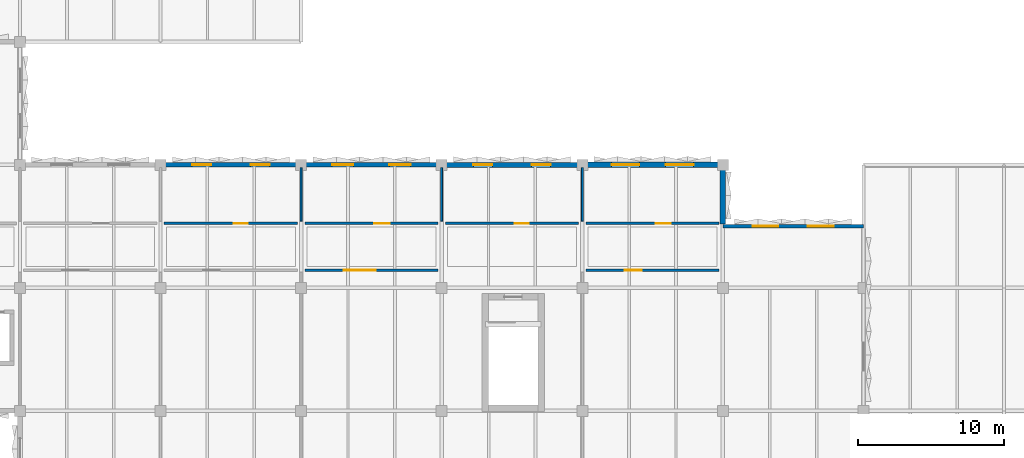
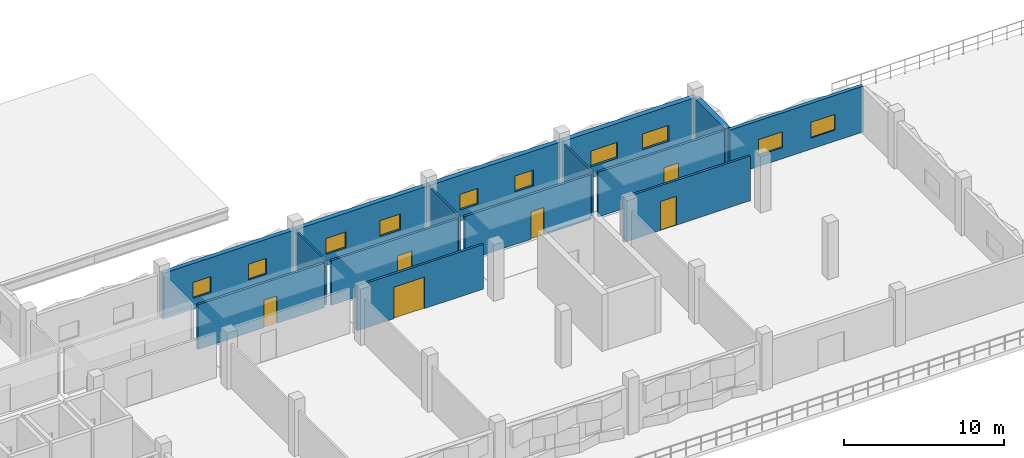
# One storey, part 59 of 86: 15 walls, 10 windows, 6 doors, 16 openings.
"""IFC4 building model written with IfcOpenShell, lengths in metres."""

from ifc_helpers import new_model, si_unit, direction, frame, frame_2d, origin, place, context, subcontext, project, spatial, rectangle, extrude, material, layer, layer_set, type_object, element, fill, save


model = new_model("IFC4")

# Units and contexts
model_context = context("Model", 3, precision=1e-05, world=origin(), true_north=direction((0.0, 1.0)))
body_context = subcontext(model_context, "Body", "Model", "MODEL_VIEW")
ifc_project = project(units=[si_unit("LENGTHUNIT", "METRE"), si_unit("AREAUNIT", "SQUARE_METRE"), si_unit("VOLUMEUNIT", "CUBIC_METRE"), si_unit("PLANEANGLEUNIT", "RADIAN"), si_unit("MASSUNIT", "GRAM", prefix="KILO")], contexts=[model_context])

# Site, building, storey
site_placement = place(None, origin())
site = spatial("IfcSite", under=ifc_project, at=site_placement, CompositionType="ELEMENT")
building_placement = place(site_placement, origin())
building = spatial("IfcBuilding", under=site, at=building_placement, Name="Oolite Switchyard Hospital", CompositionType="ELEMENT")
storey_placement = place(building_placement, frame((0.0, 0.0, 13.5)))
storey = spatial("IfcBuildingStorey", under=building, at=storey_placement, Name="L03", CompositionType="ELEMENT", Elevation=13.5)

# Wall, openings, windows
ifc_material_1 = material(Name="Precast oolitic limestone architectural concrete C40/50", Category="masonry")
ifc_layer_1 = layer(ifc_material_1, 0.260009765625)
ifc_layer_set_1 = layer_set([ifc_layer_1], Name="WAL-EXT-260")
wall_type_1 = type_object("IfcWallType", Name="WAL-EXT-260", PredefinedType="SOLIDWALL", material=ifc_layer_set_1)
wall_1_placement = place(storey_placement, frame((105.60009765625, 105.0, 0.0), z_axis=(0.0, 0.0, 1.0), x_axis=(1.0, 0.0, 0.0)))
wall_1 = element("IfcWall", 1, at=wall_1_placement, inside=storey, type_object=wall_type_1, Name="L03 Exterior Spandrel Wall 200", PredefinedType="SOLIDWALL", context=body_context, shape_type="SweptSolid", body=[
    extrude(rectangle(XDim=9.599853515625, YDim=0.260009765625, at=frame_2d((4.7998046875, 0.0))), origin(), (0.0, 0.0, 1.0), 3.489990234375),
])
opening_1_placement = place(wall_1_placement, frame((2.041015625, 0.0, 0.85009765625)))
opening_1 = element("IfcOpeningElement", 2, at=opening_1_placement, cuts=wall_1, Name="Opening WN-0101", PredefinedType="OPENING", context=body_context, shape_type="SweptSolid", body=[
    extrude(rectangle(XDim=1.75, YDim=1.199951171875, at=frame_2d((0.875, 0.60009765625))), frame((0.0, 0.14013671875, 0.0), z_axis=(0.0, -1.0, 0.0), x_axis=(1.0, 0.0, 0.0)), (0.0, 0.0, 1.0), 0.280029296875),
])
opening_2_placement = place(wall_1_placement, frame((5.80908203125, 0.0, 0.85009765625)))
opening_2 = element("IfcOpeningElement", 3, at=opening_2_placement, cuts=wall_1, Name="Opening WN-0102", PredefinedType="OPENING", context=body_context, shape_type="SweptSolid", body=[
    extrude(rectangle(XDim=1.75, YDim=1.199951171875, at=frame_2d((0.875, 0.60009765625))), frame((0.0, 0.14013671875, 0.0), z_axis=(0.0, -1.0, 0.0), x_axis=(1.0, 0.0, 0.0)), (0.0, 0.0, 1.0), 0.280029296875),
])
ifc_material_2 = material(Name="Thermally broken aluminum frame with laminated impact glazing", Category="aluminium")
window_type_1 = type_object("IfcWindowType", Name="WIN-IMP-175X120", PartitioningType="SINGLE_PANEL", PredefinedType="WINDOW", material=ifc_material_2)
window_1_placement = place(opening_1_placement, origin())
window_1 = element("IfcWindow", 4, at=window_1_placement, inside=storey, type_object=window_type_1, Name="L03 Hurricane Impact Window WN-0101", OverallHeight=1.199951171875, OverallWidth=1.75, PartitioningType="SINGLE_PANEL", PredefinedType="WINDOW", context=body_context, shape_type="SweptSolid", body=[
    extrude(rectangle(XDim=1.75, YDim=1.199951171875, at=frame_2d((0.875, 0.60009765625))), frame((0.0, 0.030029296875, 0.0), z_axis=(0.0, -1.0, 0.0), x_axis=(1.0, 0.0, 0.0)), (0.0, 0.0, 1.0), 0.06005859375),
])
fill(opening_1, window_1)
window_2_placement = place(opening_2_placement, origin())
window_2 = element("IfcWindow", 5, at=window_2_placement, inside=storey, type_object=window_type_1, Name="L03 Hurricane Impact Window WN-0102", OverallHeight=1.199951171875, OverallWidth=1.75, PartitioningType="SINGLE_PANEL", PredefinedType="WINDOW", context=body_context, shape_type="SweptSolid", body=[
    extrude(rectangle(XDim=1.75, YDim=1.199951171875, at=frame_2d((0.875, 0.60009765625))), frame((0.0, 0.030029296875, 0.0), z_axis=(0.0, -1.0, 0.0), x_axis=(1.0, 0.0, 0.0)), (0.0, 0.0, 1.0), 0.06005859375),
])
fill(opening_2, window_2)

ifc_layer_2 = layer(ifc_material_1, 0.300048828125)
ifc_layer_set_2 = layer_set([ifc_layer_2], Name="WAL-EXT-300")
wall_type_2 = type_object("IfcWallType", Name="WAL-EXT-300", PredefinedType="SOLIDWALL", material=ifc_layer_set_2)
wall_2_placement = place(storey_placement, frame((67.199951171875, 109.199951171875, 0.0), z_axis=(0.0, 0.0, 1.0), x_axis=(1.0, 0.0, 0.0)))
wall_2 = element("IfcWall", 6, at=wall_2_placement, inside=storey, type_object=wall_type_2, Name="L03 Exterior Spandrel Wall 202", PredefinedType="SOLIDWALL", context=body_context, shape_type="SweptSolid", body=[
    extrude(rectangle(XDim=9.60009765625, YDim=0.300048828125, at=frame_2d((4.800048828125, 0.0))), origin(), (0.0, 0.0, 1.0), 3.489990234375),
])
opening_3_placement = place(wall_2_placement, frame((2.157958984375, 0.0, 0.85009765625)))
opening_3 = element("IfcOpeningElement", 7, at=opening_3_placement, cuts=wall_2, Name="Opening WN-0105", PredefinedType="OPENING", context=body_context, shape_type="SweptSolid", body=[
    extrude(rectangle(XDim=1.300048828125, YDim=1.199951171875, at=frame_2d((0.64990234375, 0.60009765625))), frame((0.0, 0.16015625, 0.0), z_axis=(0.0, -1.0, 0.0), x_axis=(1.0, 0.0, 0.0)), (0.0, 0.0, 1.0), 0.320068359375),
])
opening_4_placement = place(wall_2_placement, frame((6.14208984375, 0.0, 0.85009765625)))
opening_4 = element("IfcOpeningElement", 8, at=opening_4_placement, cuts=wall_2, Name="Opening WN-0106", PredefinedType="OPENING", context=body_context, shape_type="SweptSolid", body=[
    extrude(rectangle(XDim=1.300048828125, YDim=1.199951171875, at=frame_2d((0.64990234375, 0.60009765625))), frame((0.0, 0.16015625, 0.0), z_axis=(0.0, -1.0, 0.0), x_axis=(1.0, 0.0, 0.0)), (0.0, 0.0, 1.0), 0.320068359375),
])
window_type_2 = type_object("IfcWindowType", Name="WIN-IMP-130X120", PartitioningType="SINGLE_PANEL", PredefinedType="WINDOW", material=ifc_material_2)
window_3_placement = place(opening_3_placement, origin())
window_3 = element("IfcWindow", 9, at=window_3_placement, inside=storey, type_object=window_type_2, Name="L03 Hurricane Impact Window WN-0105", OverallHeight=1.199951171875, OverallWidth=1.300048828125, PartitioningType="SINGLE_PANEL", PredefinedType="WINDOW", context=body_context, shape_type="SweptSolid", body=[
    extrude(rectangle(XDim=1.300048828125, YDim=1.199951171875, at=frame_2d((0.64990234375, 0.60009765625))), frame((0.0, 0.030029296875, 0.0), z_axis=(0.0, -1.0, 0.0), x_axis=(1.0, 0.0, 0.0)), (0.0, 0.0, 1.0), 0.06005859375),
])
fill(opening_3, window_3)
window_4_placement = place(opening_4_placement, origin())
window_4 = element("IfcWindow", 10, at=window_4_placement, inside=storey, type_object=window_type_2, Name="L03 Hurricane Impact Window WN-0106", OverallHeight=1.199951171875, OverallWidth=1.300048828125, PartitioningType="SINGLE_PANEL", PredefinedType="WINDOW", context=body_context, shape_type="SweptSolid", body=[
    extrude(rectangle(XDim=1.300048828125, YDim=1.199951171875, at=frame_2d((0.64990234375, 0.60009765625))), frame((0.0, 0.030029296875, 0.0), z_axis=(0.0, -1.0, 0.0), x_axis=(1.0, 0.0, 0.0)), (0.0, 0.0, 1.0), 0.06005859375),
])
fill(opening_4, window_4)

ifc_layer_3 = layer(ifc_material_1, 0.320068359375)
ifc_layer_set_3 = layer_set([ifc_layer_3], Name="WAL-EXT-320")
wall_type_3 = type_object("IfcWallType", Name="WAL-EXT-320", PredefinedType="SOLIDWALL", material=ifc_layer_set_3)
wall_3_placement = place(storey_placement, frame((76.800048828125, 109.199951171875, 0.0), z_axis=(0.0, 0.0, 1.0), x_axis=(1.0, 0.0, 0.0)))
wall_3 = element("IfcWall", 11, at=wall_3_placement, inside=storey, type_object=wall_type_3, Name="L03 Exterior Spandrel Wall 203", PredefinedType="SOLIDWALL", context=body_context, shape_type="SweptSolid", body=[
    extrude(rectangle(XDim=9.599853515625, YDim=0.320068359375, at=frame_2d((4.7998046875, 0.0))), origin(), (0.0, 0.0, 1.0), 3.489990234375),
])
opening_5_placement = place(wall_3_placement, frame((2.118896484375, 0.0, 0.85009765625)))
opening_5 = element("IfcOpeningElement", 12, at=opening_5_placement, cuts=wall_3, Name="Opening WN-0107", PredefinedType="OPENING", context=body_context, shape_type="SweptSolid", body=[
    extrude(rectangle(XDim=1.449951171875, YDim=1.199951171875, at=frame_2d((0.72509765625, 0.60009765625))), frame((0.0, 0.169921875, 0.0), z_axis=(0.0, -1.0, 0.0), x_axis=(1.0, 0.0, 0.0)), (0.0, 0.0, 1.0), 0.340087890625),
])
opening_6_placement = place(wall_3_placement, frame((6.031005859375, 0.0, 0.85009765625)))
opening_6 = element("IfcOpeningElement", 13, at=opening_6_placement, cuts=wall_3, Name="Opening WN-0108", PredefinedType="OPENING", context=body_context, shape_type="SweptSolid", body=[
    extrude(rectangle(XDim=1.449951171875, YDim=1.199951171875, at=frame_2d((0.72509765625, 0.60009765625))), frame((0.0, 0.169921875, 0.0), z_axis=(0.0, -1.0, 0.0), x_axis=(1.0, 0.0, 0.0)), (0.0, 0.0, 1.0), 0.340087890625),
])
window_type_3 = type_object("IfcWindowType", Name="WIN-IMP-145X120", PartitioningType="SINGLE_PANEL", PredefinedType="WINDOW", material=ifc_material_2)
window_5_placement = place(opening_5_placement, origin())
window_5 = element("IfcWindow", 14, at=window_5_placement, inside=storey, type_object=window_type_3, Name="L03 Hurricane Impact Window WN-0107", OverallHeight=1.199951171875, OverallWidth=1.449951171875, PartitioningType="SINGLE_PANEL", PredefinedType="WINDOW", context=body_context, shape_type="SweptSolid", body=[
    extrude(rectangle(XDim=1.449951171875, YDim=1.199951171875, at=frame_2d((0.72509765625, 0.60009765625))), frame((0.0, 0.030029296875, 0.0), z_axis=(0.0, -1.0, 0.0), x_axis=(1.0, 0.0, 0.0)), (0.0, 0.0, 1.0), 0.06005859375),
])
fill(opening_5, window_5)
window_6_placement = place(opening_6_placement, origin())
window_6 = element("IfcWindow", 15, at=window_6_placement, inside=storey, type_object=window_type_3, Name="L03 Hurricane Impact Window WN-0108", OverallHeight=1.199951171875, OverallWidth=1.449951171875, PartitioningType="SINGLE_PANEL", PredefinedType="WINDOW", context=body_context, shape_type="SweptSolid", body=[
    extrude(rectangle(XDim=1.449951171875, YDim=1.199951171875, at=frame_2d((0.72509765625, 0.60009765625))), frame((0.0, 0.030029296875, 0.0), z_axis=(0.0, -1.0, 0.0), x_axis=(1.0, 0.0, 0.0)), (0.0, 0.0, 1.0), 0.06005859375),
])
fill(opening_6, window_6)

ifc_layer_4 = layer(ifc_material_1, 0.340087890625)
ifc_layer_set_4 = layer_set([ifc_layer_4], Name="WAL-EXT-340")
wall_type_4 = type_object("IfcWallType", Name="WAL-EXT-340", PredefinedType="SOLIDWALL", material=ifc_layer_set_4)
wall_4_placement = place(storey_placement, frame((86.39990234375, 109.199951171875, 0.0), z_axis=(0.0, 0.0, 1.0), x_axis=(1.0, 0.0, 0.0)))
wall_4 = element("IfcWall", 16, at=wall_4_placement, inside=storey, type_object=wall_type_4, Name="L03 Exterior Spandrel Wall 204", PredefinedType="SOLIDWALL", context=body_context, shape_type="SweptSolid", body=[
    extrude(rectangle(XDim=9.60009765625, YDim=0.340087890625, at=frame_2d((4.800048828125, 0.0))), origin(), (0.0, 0.0, 1.0), 3.489990234375),
])
opening_7_placement = place(wall_4_placement, frame((2.157958984375, 0.0, 0.85009765625)))
opening_7 = element("IfcOpeningElement", 17, at=opening_7_placement, cuts=wall_4, Name="Opening WN-0109", PredefinedType="OPENING", context=body_context, shape_type="SweptSolid", body=[
    extrude(rectangle(XDim=1.300048828125, YDim=1.199951171875, at=frame_2d((0.64990234375, 0.60009765625))), frame((0.0, 0.18017578125, 0.0), z_axis=(0.0, -1.0, 0.0), x_axis=(1.0, 0.0, 0.0)), (0.0, 0.0, 1.0), 0.360107421875),
])
opening_8_placement = place(wall_4_placement, frame((6.14208984375, 0.0, 0.85009765625)))
opening_8 = element("IfcOpeningElement", 18, at=opening_8_placement, cuts=wall_4, Name="Opening WN-0110", PredefinedType="OPENING", context=body_context, shape_type="SweptSolid", body=[
    extrude(rectangle(XDim=1.300048828125, YDim=1.199951171875, at=frame_2d((0.64990234375, 0.60009765625))), frame((0.0, 0.18017578125, 0.0), z_axis=(0.0, -1.0, 0.0), x_axis=(1.0, 0.0, 0.0)), (0.0, 0.0, 1.0), 0.360107421875),
])
window_7_placement = place(opening_7_placement, origin())
window_7 = element("IfcWindow", 19, at=window_7_placement, inside=storey, type_object=window_type_2, Name="L03 Hurricane Impact Window WN-0109", OverallHeight=1.199951171875, OverallWidth=1.300048828125, PartitioningType="SINGLE_PANEL", PredefinedType="WINDOW", context=body_context, shape_type="SweptSolid", body=[
    extrude(rectangle(XDim=1.300048828125, YDim=1.199951171875, at=frame_2d((0.64990234375, 0.60009765625))), frame((0.0, 0.030029296875, 0.0), z_axis=(0.0, -1.0, 0.0), x_axis=(1.0, 0.0, 0.0)), (0.0, 0.0, 1.0), 0.06005859375),
])
fill(opening_7, window_7)
window_8_placement = place(opening_8_placement, origin())
window_8 = element("IfcWindow", 20, at=window_8_placement, inside=storey, type_object=window_type_2, Name="L03 Hurricane Impact Window WN-0110", OverallHeight=1.199951171875, OverallWidth=1.300048828125, PartitioningType="SINGLE_PANEL", PredefinedType="WINDOW", context=body_context, shape_type="SweptSolid", body=[
    extrude(rectangle(XDim=1.300048828125, YDim=1.199951171875, at=frame_2d((0.64990234375, 0.60009765625))), frame((0.0, 0.030029296875, 0.0), z_axis=(0.0, -1.0, 0.0), x_axis=(1.0, 0.0, 0.0)), (0.0, 0.0, 1.0), 0.06005859375),
])
fill(opening_8, window_8)

ifc_layer_5 = layer(ifc_material_1, 0.360107421875)
ifc_layer_set_5 = layer_set([ifc_layer_5], Name="WAL-EXT-360")
wall_type_5 = type_object("IfcWallType", Name="WAL-EXT-360", PredefinedType="SOLIDWALL", material=ifc_layer_set_5)
wall_5_placement = place(storey_placement, frame((96.0, 109.199951171875, 0.0), z_axis=(0.0, 0.0, 1.0), x_axis=(1.0, 0.0, 0.0)))
wall_5 = element("IfcWall", 21, at=wall_5_placement, inside=storey, type_object=wall_type_5, Name="L03 Exterior Spandrel Wall 205", PredefinedType="SOLIDWALL", context=body_context, shape_type="SweptSolid", body=[
    extrude(rectangle(XDim=9.60009765625, YDim=0.360107421875, at=frame_2d((4.800048828125, 0.0))), origin(), (0.0, 0.0, 1.0), 3.489990234375),
])
opening_9_placement = place(wall_5_placement, frame((2.001953125, 0.0, 0.85009765625)))
opening_9 = element("IfcOpeningElement", 22, at=opening_9_placement, cuts=wall_5, Name="Opening WN-0111", PredefinedType="OPENING", context=body_context, shape_type="SweptSolid", body=[
    extrude(rectangle(XDim=1.89990234375, YDim=1.199951171875, at=frame_2d((0.949951171875, 0.60009765625))), frame((0.0, 0.18994140625, 0.0), z_axis=(0.0, -1.0, 0.0), x_axis=(1.0, 0.0, 0.0)), (0.0, 0.0, 1.0), 0.380126953125),
])
opening_10_placement = place(wall_5_placement, frame((5.697998046875, 0.0, 0.85009765625)))
opening_10 = element("IfcOpeningElement", 23, at=opening_10_placement, cuts=wall_5, Name="Opening WN-0112", PredefinedType="OPENING", context=body_context, shape_type="SweptSolid", body=[
    extrude(rectangle(XDim=1.89990234375, YDim=1.199951171875, at=frame_2d((0.949951171875, 0.60009765625))), frame((0.0, 0.18994140625, 0.0), z_axis=(0.0, -1.0, 0.0), x_axis=(1.0, 0.0, 0.0)), (0.0, 0.0, 1.0), 0.380126953125),
])
window_type_4 = type_object("IfcWindowType", Name="WIN-IMP-190X120", PartitioningType="SINGLE_PANEL", PredefinedType="WINDOW", material=ifc_material_2)
window_9_placement = place(opening_9_placement, origin())
window_9 = element("IfcWindow", 24, at=window_9_placement, inside=storey, type_object=window_type_4, Name="L03 Hurricane Impact Window WN-0111", OverallHeight=1.199951171875, OverallWidth=1.89990234375, PartitioningType="SINGLE_PANEL", PredefinedType="WINDOW", context=body_context, shape_type="SweptSolid", body=[
    extrude(rectangle(XDim=1.89990234375, YDim=1.199951171875, at=frame_2d((0.949951171875, 0.60009765625))), frame((0.0, 0.030029296875, 0.0), z_axis=(0.0, -1.0, 0.0), x_axis=(1.0, 0.0, 0.0)), (0.0, 0.0, 1.0), 0.06005859375),
])
fill(opening_9, window_9)
window_10_placement = place(opening_10_placement, origin())
window_10 = element("IfcWindow", 25, at=window_10_placement, inside=storey, type_object=window_type_4, Name="L03 Hurricane Impact Window WN-0112", OverallHeight=1.199951171875, OverallWidth=1.89990234375, PartitioningType="SINGLE_PANEL", PredefinedType="WINDOW", context=body_context, shape_type="SweptSolid", body=[
    extrude(rectangle(XDim=1.89990234375, YDim=1.199951171875, at=frame_2d((0.949951171875, 0.60009765625))), frame((0.0, 0.030029296875, 0.0), z_axis=(0.0, -1.0, 0.0), x_axis=(1.0, 0.0, 0.0)), (0.0, 0.0, 1.0), 0.06005859375),
])
fill(opening_10, window_10)

# Walls
ifc_layer_6 = layer(ifc_material_1, 0.3798828125)
ifc_layer_set_6 = layer_set([ifc_layer_6], Name="WAL-EXT-380")
wall_type_6 = type_object("IfcWallType", Name="WAL-EXT-380", PredefinedType="SOLIDWALL", material=ifc_layer_set_6)
wall_6_placement = place(storey_placement, frame((105.60009765625, 109.0400390625, 0.0), z_axis=(0.0, 0.0, 1.0), x_axis=(0.0, -1.0, 0.0)))
element("IfcWall", 26, at=wall_6_placement, inside=storey, type_object=wall_type_6, Name="L03 Exterior Spandrel Wall 234", PredefinedType="SOLIDWALL", context=body_context, shape_type="SweptSolid", body=[
    extrude(rectangle(XDim=3.880126953125, YDim=0.3798828125, at=frame_2d((1.93994140625, 0.0))), origin(), (0.0, 0.0, 1.0), 3.489990234375),
])
ifc_material_3 = material(Name="Moisture-resistant gypsum board on steel studs", Category="steel")
ifc_layer_7 = layer(ifc_material_3, 0.135009765625)
ifc_layer_set_7 = layer_set([ifc_layer_7], Name="WAL-PART-135")
wall_type_7 = type_object("IfcWallType", Name="WAL-PART-135", PredefinedType="PARTITIONING", material=ifc_layer_set_7)
for number, where, z_axis, x_axis, name in (
    (27, (76.800048828125, 105.35009765625, 0.0), (0.0, 0.0, 1.0), (0.0, 1.0, 0.0), "L03 Interior Partition 625"),
    (28, (86.39990234375, 105.35009765625, 0.0), (0.0, 0.0, 1.0), (0.0, 1.0, 0.0), "L03 Interior Partition 627"),
    (29, (96.0, 105.35009765625, 0.0), (0.0, 0.0, 1.0), (0.0, 1.0, 0.0), "L03 Interior Partition 631"),
):
    element("IfcWall", number, at=place(storey_placement, frame(where, z_axis=z_axis, x_axis=x_axis)), inside=storey, type_object=wall_type_7, Name=name, PredefinedType="PARTITIONING", context=body_context, shape_type="SweptSolid", body=[
        extrude(rectangle(XDim=3.64990234375, YDim=0.135009765625, at=frame_2d((1.824951171875, 0.0))), origin(), (0.0, 0.0, 1.0), 3.39990234375),
    ])

# Wall, opening, door
ifc_layer_8 = layer(ifc_material_3, 0.1650390625)
ifc_layer_set_8 = layer_set([ifc_layer_8], Name="WAL-PART-165")
wall_type_8 = type_object("IfcWallType", Name="WAL-PART-165", PredefinedType="PARTITIONING", material=ifc_layer_set_8)
wall_7_placement = place(storey_placement, frame((67.449951171875, 105.199951171875, 0.0), z_axis=(0.0, 0.0, 1.0), x_axis=(1.0, 0.0, 0.0)))
wall_7 = element("IfcWall", 30, at=wall_7_placement, inside=storey, type_object=wall_type_8, Name="L03 Interior Partition 620", PredefinedType="PARTITIONING", context=body_context, shape_type="SweptSolid", body=[
    extrude(rectangle(XDim=9.10009765625, YDim=0.1650390625, at=frame_2d((4.550048828125, 0.0))), origin(), (0.0, 0.0, 1.0), 3.39990234375),
])
opening_11_placement = place(wall_7_placement, frame((4.75, 0.0, 0.0)))
opening_11 = element("IfcOpeningElement", 31, at=opening_11_placement, cuts=wall_7, Name="Opening D-0348", PredefinedType="OPENING", context=body_context, shape_type="SweptSolid", body=[
    extrude(rectangle(XDim=0.949951171875, YDim=2.10009765625, at=frame_2d((0.47509765625, 1.050048828125))), frame((0.0, 0.092529296875, 0.0), z_axis=(0.0, -1.0, 0.0), x_axis=(1.0, 0.0, 0.0)), (0.0, 0.0, 1.0), 0.18505859375),
])
ifc_material_4 = material(Name="Solid-core antimicrobial hardwood leaf in steel frame", Category="steel")
door_type_1 = type_object("IfcDoorType", Name="DR-BATH-095X210", OperationType="NOTDEFINED", PredefinedType="DOOR", material=ifc_material_4)
door_1_placement = place(opening_11_placement, origin())
door_1 = element("IfcDoor", 32, at=door_1_placement, inside=storey, type_object=door_type_1, Name="L03 Interior Door D-0348", OperationType="SINGLE_SWING_LEFT", OverallHeight=2.10009765625, OverallWidth=0.949951171875, PredefinedType="DOOR", context=body_context, shape_type="SweptSolid", body=[
    extrude(rectangle(XDim=0.949951171875, YDim=2.10009765625, at=frame_2d((0.47509765625, 1.050048828125))), frame((0.0, 0.02490234375, 0.0), z_axis=(0.0, -1.0, 0.0), x_axis=(1.0, 0.0, 0.0)), (0.0, 0.0, 1.0), 0.050048828125),
])
fill(opening_11, door_1)

wall_8_placement = place(storey_placement, frame((77.050048828125, 102.0, 0.0), z_axis=(0.0, 0.0, 1.0), x_axis=(1.0, 0.0, 0.0)))
wall_8 = element("IfcWall", 33, at=wall_8_placement, inside=storey, type_object=wall_type_8, Name="L03 Interior Partition 622", PredefinedType="PARTITIONING", context=body_context, shape_type="SweptSolid", body=[
    extrude(rectangle(XDim=9.099853515625, YDim=0.1650390625, at=frame_2d((4.5498046875, 0.0))), origin(), (0.0, 0.0, 1.0), 3.39990234375),
])
opening_12_placement = place(wall_8_placement, frame((2.64990234375, 0.0, 0.0)))
opening_12 = element("IfcOpeningElement", 34, at=opening_12_placement, cuts=wall_8, Name="Opening D-0349", PredefinedType="OPENING", context=body_context, shape_type="SweptSolid", body=[
    extrude(rectangle(XDim=2.199951171875, YDim=2.39990234375, at=frame_2d((1.10009765625, 1.199951171875))), frame((0.0, 0.092529296875, 0.0), z_axis=(0.0, -1.0, 0.0), x_axis=(1.0, 0.0, 0.0)), (0.0, 0.0, 1.0), 0.18505859375),
])
ifc_material_5 = material(Name="Hollow metal fire-rated steel door assembly", Category="steel")
door_type_2 = type_object("IfcDoorType", Name="DR-PLNT-220X240", OperationType="NOTDEFINED", PredefinedType="DOOR", material=ifc_material_5)
door_2_placement = place(opening_12_placement, origin())
door_2 = element("IfcDoor", 35, at=door_2_placement, inside=storey, type_object=door_type_2, Name="L03 Interior Door D-0349", OperationType="DOUBLE_DOOR_SINGLE_SWING", OverallHeight=2.39990234375, OverallWidth=2.199951171875, PredefinedType="DOOR", context=body_context, shape_type="SweptSolid", body=[
    extrude(rectangle(XDim=2.199951171875, YDim=2.39990234375, at=frame_2d((1.10009765625, 1.199951171875))), frame((0.0, 0.02490234375, 0.0), z_axis=(0.0, -1.0, 0.0), x_axis=(1.0, 0.0, 0.0)), (0.0, 0.0, 1.0), 0.050048828125),
])
fill(opening_12, door_2)

wall_9_placement = place(storey_placement, frame((77.050048828125, 105.199951171875, 0.0), z_axis=(0.0, 0.0, 1.0), x_axis=(1.0, 0.0, 0.0)))
wall_9 = element("IfcWall", 36, at=wall_9_placement, inside=storey, type_object=wall_type_8, Name="L03 Interior Partition 624", PredefinedType="PARTITIONING", context=body_context, shape_type="SweptSolid", body=[
    extrude(rectangle(XDim=9.099853515625, YDim=0.1650390625, at=frame_2d((4.5498046875, 0.0))), origin(), (0.0, 0.0, 1.0), 3.39990234375),
])
opening_13_placement = place(wall_9_placement, frame((4.75, 0.0, 0.0)))
opening_13 = element("IfcOpeningElement", 37, at=opening_13_placement, cuts=wall_9, Name="Opening D-0350", PredefinedType="OPENING", context=body_context, shape_type="SweptSolid", body=[
    extrude(rectangle(XDim=1.050048828125, YDim=2.10009765625, at=frame_2d((0.52490234375, 1.050048828125))), frame((0.0, 0.092529296875, 0.0), z_axis=(0.0, -1.0, 0.0), x_axis=(1.0, 0.0, 0.0)), (0.0, 0.0, 1.0), 0.18505859375),
])
door_type_3 = type_object("IfcDoorType", Name="DR-EXAM-105X210", OperationType="NOTDEFINED", PredefinedType="DOOR", material=ifc_material_4)
door_3_placement = place(opening_13_placement, origin())
door_3 = element("IfcDoor", 38, at=door_3_placement, inside=storey, type_object=door_type_3, Name="L03 Interior Door D-0350", OperationType="SINGLE_SWING_RIGHT", OverallHeight=2.10009765625, OverallWidth=1.050048828125, PredefinedType="DOOR", context=body_context, shape_type="SweptSolid", body=[
    extrude(rectangle(XDim=1.050048828125, YDim=2.10009765625, at=frame_2d((0.52490234375, 1.050048828125))), frame((0.0, 0.02490234375, 0.0), z_axis=(0.0, -1.0, 0.0), x_axis=(1.0, 0.0, 0.0)), (0.0, 0.0, 1.0), 0.050048828125),
])
fill(opening_13, door_3)

wall_10_placement = place(storey_placement, frame((86.64990234375, 105.199951171875, 0.0), z_axis=(0.0, 0.0, 1.0), x_axis=(1.0, 0.0, 0.0)))
wall_10 = element("IfcWall", 39, at=wall_10_placement, inside=storey, type_object=wall_type_8, Name="L03 Interior Partition 626", PredefinedType="PARTITIONING", context=body_context, shape_type="SweptSolid", body=[
    extrude(rectangle(XDim=9.10009765625, YDim=0.1650390625, at=frame_2d((4.550048828125, 0.0))), origin(), (0.0, 0.0, 1.0), 3.39990234375),
])
opening_14_placement = place(wall_10_placement, frame((4.75, 0.0, 0.0)))
opening_14 = element("IfcOpeningElement", 40, at=opening_14_placement, cuts=wall_10, Name="Opening D-0351", PredefinedType="OPENING", context=body_context, shape_type="SweptSolid", body=[
    extrude(rectangle(XDim=0.949951171875, YDim=2.10009765625, at=frame_2d((0.47509765625, 1.050048828125))), frame((0.0, 0.092529296875, 0.0), z_axis=(0.0, -1.0, 0.0), x_axis=(1.0, 0.0, 0.0)), (0.0, 0.0, 1.0), 0.18505859375),
])
door_4_placement = place(opening_14_placement, origin())
door_4 = element("IfcDoor", 41, at=door_4_placement, inside=storey, type_object=door_type_1, Name="L03 Interior Door D-0351", OperationType="SINGLE_SWING_LEFT", OverallHeight=2.10009765625, OverallWidth=0.949951171875, PredefinedType="DOOR", context=body_context, shape_type="SweptSolid", body=[
    extrude(rectangle(XDim=0.949951171875, YDim=2.10009765625, at=frame_2d((0.47509765625, 1.050048828125))), frame((0.0, 0.02490234375, 0.0), z_axis=(0.0, -1.0, 0.0), x_axis=(1.0, 0.0, 0.0)), (0.0, 0.0, 1.0), 0.050048828125),
])
fill(opening_14, door_4)

wall_11_placement = place(storey_placement, frame((96.25, 102.0, 0.0), z_axis=(0.0, 0.0, 1.0), x_axis=(1.0, 0.0, 0.0)))
wall_11 = element("IfcWall", 42, at=wall_11_placement, inside=storey, type_object=wall_type_8, Name="L03 Interior Partition 628", PredefinedType="PARTITIONING", context=body_context, shape_type="SweptSolid", body=[
    extrude(rectangle(XDim=9.10009765625, YDim=0.1650390625, at=frame_2d((4.550048828125, 0.0))), origin(), (0.0, 0.0, 1.0), 3.39990234375),
])
opening_15_placement = place(wall_11_placement, frame((2.64990234375, 0.0, 0.0)))
opening_15 = element("IfcOpeningElement", 43, at=opening_15_placement, cuts=wall_11, Name="Opening D-0352", PredefinedType="OPENING", context=body_context, shape_type="SweptSolid", body=[
    extrude(rectangle(XDim=1.14990234375, YDim=2.199951171875, at=frame_2d((0.574951171875, 1.10009765625))), frame((0.0, 0.092529296875, 0.0), z_axis=(0.0, -1.0, 0.0), x_axis=(1.0, 0.0, 0.0)), (0.0, 0.0, 1.0), 0.18505859375),
])
door_type_4 = type_object("IfcDoorType", Name="DR-CLIN-115X220", OperationType="NOTDEFINED", PredefinedType="DOOR", material=ifc_material_4)
door_5_placement = place(opening_15_placement, origin())
door_5 = element("IfcDoor", 44, at=door_5_placement, inside=storey, type_object=door_type_4, Name="L03 Interior Door D-0352", OperationType="SINGLE_SWING_LEFT", OverallHeight=2.199951171875, OverallWidth=1.14990234375, PredefinedType="DOOR", context=body_context, shape_type="SweptSolid", body=[
    extrude(rectangle(XDim=1.14990234375, YDim=2.199951171875, at=frame_2d((0.574951171875, 1.10009765625))), frame((0.0, 0.02490234375, 0.0), z_axis=(0.0, -1.0, 0.0), x_axis=(1.0, 0.0, 0.0)), (0.0, 0.0, 1.0), 0.050048828125),
])
fill(opening_15, door_5)

wall_12_placement = place(storey_placement, frame((96.25, 105.199951171875, 0.0), z_axis=(0.0, 0.0, 1.0), x_axis=(1.0, 0.0, 0.0)))
wall_12 = element("IfcWall", 45, at=wall_12_placement, inside=storey, type_object=wall_type_8, Name="L03 Interior Partition 630", PredefinedType="PARTITIONING", context=body_context, shape_type="SweptSolid", body=[
    extrude(rectangle(XDim=9.10009765625, YDim=0.1650390625, at=frame_2d((4.550048828125, 0.0))), origin(), (0.0, 0.0, 1.0), 3.39990234375),
])
opening_16_placement = place(wall_12_placement, frame((4.75, 0.0, 0.0)))
opening_16 = element("IfcOpeningElement", 46, at=opening_16_placement, cuts=wall_12, Name="Opening D-0353", PredefinedType="OPENING", context=body_context, shape_type="SweptSolid", body=[
    extrude(rectangle(XDim=1.050048828125, YDim=2.10009765625, at=frame_2d((0.52490234375, 1.050048828125))), frame((0.0, 0.092529296875, 0.0), z_axis=(0.0, -1.0, 0.0), x_axis=(1.0, 0.0, 0.0)), (0.0, 0.0, 1.0), 0.18505859375),
])
door_6_placement = place(opening_16_placement, origin())
door_6 = element("IfcDoor", 47, at=door_6_placement, inside=storey, type_object=door_type_3, Name="L03 Interior Door D-0353", OperationType="SINGLE_SWING_RIGHT", OverallHeight=2.10009765625, OverallWidth=1.050048828125, PredefinedType="DOOR", context=body_context, shape_type="SweptSolid", body=[
    extrude(rectangle(XDim=1.050048828125, YDim=2.10009765625, at=frame_2d((0.52490234375, 1.050048828125))), frame((0.0, 0.02490234375, 0.0), z_axis=(0.0, -1.0, 0.0), x_axis=(1.0, 0.0, 0.0)), (0.0, 0.0, 1.0), 0.050048828125),
])
fill(opening_16, door_6)

save(model, "model.ifc")
